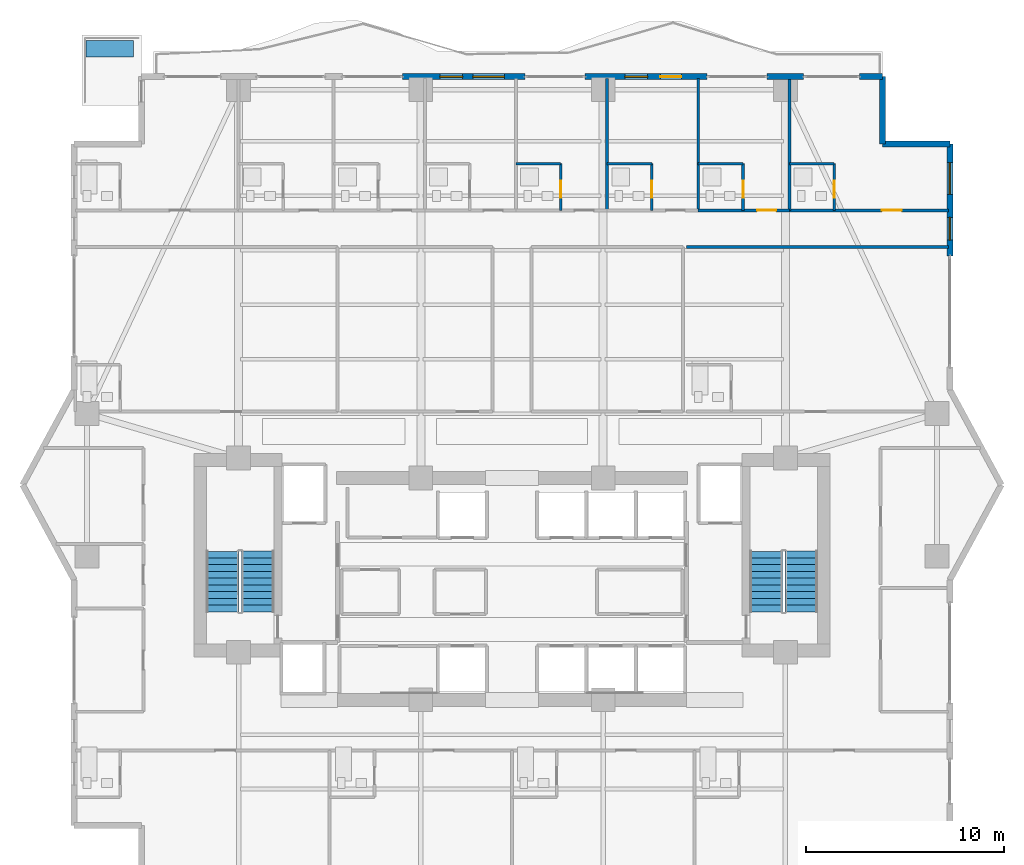
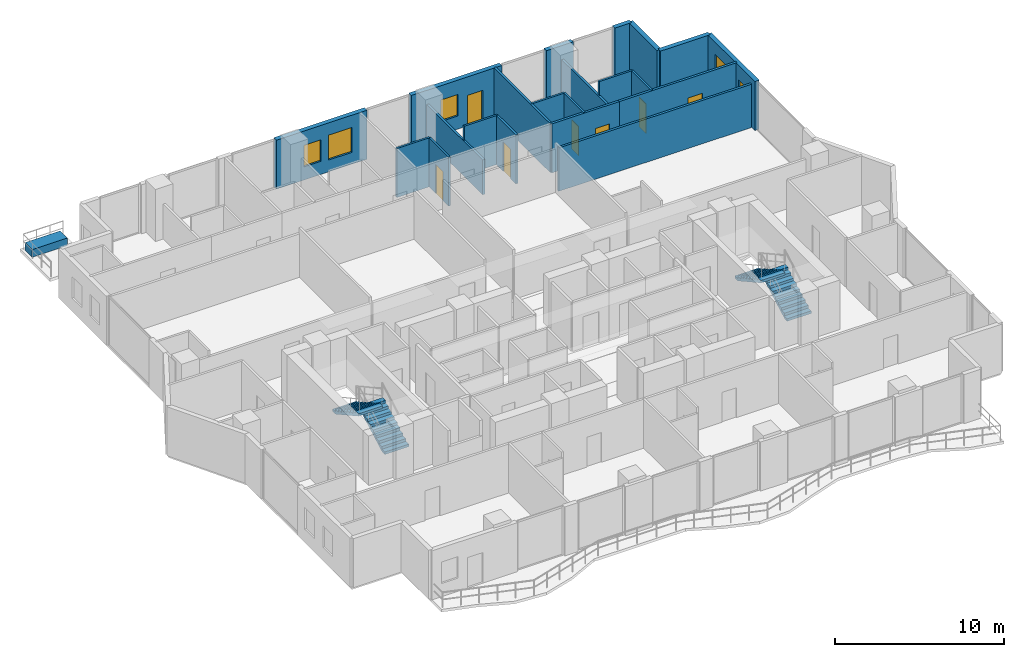
# One storey, part 28 of 32: 21 walls, 7 doors, 5 windows, 4 stair flights, 1 building element part, 12 openings, 2 elements without a shape of their own.
"""IFC4 building model written with IfcOpenShell, lengths in metres."""

from ifc_helpers import new_model, si_unit, direction, frame, frame_2d, origin, origin_2d, place, context, subcontext, project, spatial, polyline, rectangle, outline, extrude, material, layer, layer_set, type_object, element, fill, aggregate, save


model = new_model("IFC4")

# Units and contexts
model_context = context("Model", 3, precision=1e-05, world=origin(), true_north=direction((0.0, 1.0)))
body_context = subcontext(model_context, "Body", "Model", "MODEL_VIEW")
ifc_project = project(units=[si_unit("LENGTHUNIT", "METRE"), si_unit("AREAUNIT", "SQUARE_METRE"), si_unit("VOLUMEUNIT", "CUBIC_METRE"), si_unit("PLANEANGLEUNIT", "RADIAN"), si_unit("MASSUNIT", "GRAM", prefix="KILO")], contexts=[model_context])

# Site, building, storey
site_placement = place(None, origin())
site = spatial("IfcSite", under=ifc_project, at=site_placement, CompositionType="ELEMENT")
building_placement = place(site_placement, origin())
building = spatial("IfcBuilding", under=site, at=building_placement, Name="Zuhayl Quay Hotel", CompositionType="ELEMENT")
storey_placement = place(building_placement, frame((0.0, 0.0, 226.14990234375)))
storey = spatial("IfcBuildingStorey", under=building, at=storey_placement, Name="L57", CompositionType="ELEMENT", Elevation=226.14990234375)

# Wall, openings, windows
ifc_material_1 = material(Name="Precast concrete C45/55", Category="concrete")
ifc_layer_1 = layer(ifc_material_1, 0.300048828125, Name="Precast concrete C45/55", Category="concrete")
ifc_layer_set_1 = layer_set([ifc_layer_1], Name="Precast concrete C45/55")
wall_type_1 = type_object("IfcWallType", Name="WL_EXT_300", PredefinedType="STANDARD", material=ifc_layer_set_1)
wall_1_placement = place(storey_placement, frame((-5.52001953125, 33.60009765625, 0.0), z_axis=(0.0, 0.0, 1.0), x_axis=(1.0, 0.0, 0.0)))
wall_1 = element("IfcWall", 1, at=wall_1_placement, inside=storey, type_object=wall_type_1, Name="L57 Exterior Precast Wall ENV_L57_N_EW4", PredefinedType="STANDARD", context=body_context, shape_type="SweptSolid", body=[
    extrude(rectangle(XDim=6.169921875, YDim=0.300048828125, at=frame_2d((3.0849609375, 0.0))), origin(), (0.0, 0.0, 1.0), 3.530029296875),
])
opening_1_placement = place(wall_1_placement, frame((3.5400390625, 0.0, 0.85009765625)))
opening_1 = element("IfcOpeningElement", 2, at=opening_1_placement, cuts=wall_1, Name="Opening W01", PredefinedType="OPENING", context=body_context, shape_type="SweptSolid", body=[
    extrude(rectangle(XDim=1.60009765625, YDim=1.800048828125, at=frame_2d((0.800048828125, 0.89990234375))), frame((0.0, 0.159912109375, 0.0), z_axis=(0.0, -1.0, 0.0), x_axis=(1.0, 0.0, 0.0)), (0.0, 0.0, 1.0), 0.320068359375),
])
opening_2_placement = place(wall_1_placement, frame((1.8798828125, 0.0, 0.949951171875)))
opening_2 = element("IfcOpeningElement", 3, at=opening_2_placement, cuts=wall_1, Name="Opening W01N", PredefinedType="OPENING", context=body_context, shape_type="SweptSolid", body=[
    extrude(rectangle(XDim=1.14990234375, YDim=1.550048828125, at=frame_2d((0.574951171875, 0.77490234375))), frame((0.0, 0.159912109375, 0.0), z_axis=(0.0, -1.0, 0.0), x_axis=(1.0, 0.0, 0.0)), (0.0, 0.0, 1.0), 0.320068359375),
])
ifc_material_2 = material(Name="Dark Ceramic-Fritted Solar Glass", Category="glass")
window_type_1 = type_object("IfcWindowType", Name="WN_NOTCH_1350", PartitioningType="SINGLE_PANEL", PredefinedType="WINDOW", material=ifc_material_2)
window_1_placement = place(opening_2_placement, origin())
window_1 = element("IfcWindow", 4, at=window_1_placement, inside=storey, type_object=window_type_1, Name="L57 Operable Facade Window 4-1", OverallHeight=1.550048828125, OverallWidth=1.14990234375, PartitioningType="SINGLE_PANEL", PredefinedType="WINDOW", context=body_context, shape_type="SweptSolid", body=[
    extrude(rectangle(XDim=1.14990234375, YDim=1.550048828125, at=frame_2d((0.574951171875, 0.77490234375))), frame((0.0, 0.030029296875, 0.0), z_axis=(0.0, -1.0, 0.0), x_axis=(1.0, 0.0, 0.0)), (0.0, 0.0, 1.0), 0.06005859375),
])
fill(opening_2, window_1)
window_type_2 = type_object("IfcWindowType", Name="WN_OPERABLE_1600", PartitioningType="DOUBLE_PANEL_VERTICAL", PredefinedType="WINDOW", material=ifc_material_2)
window_2_placement = place(opening_1_placement, origin())
window_2 = element("IfcWindow", 5, at=window_2_placement, inside=storey, type_object=window_type_2, Name="L57 North Operable Casement Window", OverallHeight=1.800048828125, OverallWidth=1.60009765625, PartitioningType="SINGLE_PANEL", PredefinedType="WINDOW", context=body_context, shape_type="SweptSolid", body=[
    extrude(rectangle(XDim=1.60009765625, YDim=1.800048828125, at=frame_2d((0.800048828125, 0.89990234375))), frame((0.0, 0.030029296875, 0.0), z_axis=(0.0, -1.0, 0.0), x_axis=(1.0, 0.0, 0.0)), (0.0, 0.0, 1.0), 0.06005859375),
])
fill(opening_1, window_2)

# Wall, openings, door, window
wall_2_placement = place(storey_placement, frame((3.679931640625, 33.60009765625, 0.0), z_axis=(0.0, 0.0, 1.0), x_axis=(1.0, 0.0, 0.0)))
wall_2 = element("IfcWall", 6, at=wall_2_placement, inside=storey, type_object=wall_type_1, Name="L57 Exterior Precast Wall ENV_L57_N_EW5", PredefinedType="STANDARD", context=body_context, shape_type="SweptSolid", body=[
    extrude(rectangle(XDim=6.170166015625, YDim=0.300048828125, at=frame_2d((3.0849609375, 0.0))), origin(), (0.0, 0.0, 1.0), 3.530029296875),
])
opening_3_placement = place(wall_2_placement, frame((3.81494140625, 0.0, 0.0)))
opening_3 = element("IfcOpeningElement", 7, at=opening_3_placement, cuts=wall_2, Name="Opening DG1", PredefinedType="OPENING", context=body_context, shape_type="SweptSolid", body=[
    extrude(rectangle(XDim=1.050048828125, YDim=2.199951171875, at=frame_2d((0.52490234375, 1.10009765625))), frame((0.0, 0.159912109375, 0.0), z_axis=(0.0, -1.0, 0.0), x_axis=(1.0, 0.0, 0.0)), (0.0, 0.0, 1.0), 0.320068359375),
])
opening_4_placement = place(wall_2_placement, frame((2.017578125, 0.0, 0.949951171875)))
opening_4 = element("IfcOpeningElement", 8, at=opening_4_placement, cuts=wall_2, Name="Opening W01N", PredefinedType="OPENING", context=body_context, shape_type="SweptSolid", body=[
    extrude(rectangle(XDim=1.14990234375, YDim=1.550048828125, at=frame_2d((0.574951171875, 0.77490234375))), frame((0.0, 0.159912109375, 0.0), z_axis=(0.0, -1.0, 0.0), x_axis=(1.0, 0.0, 0.0)), (0.0, 0.0, 1.0), 0.320068359375),
])
ifc_material_3 = material(Name="Anodised Aluminium and Dark Solar Glass", Category="aluminium")
door_type_1 = type_object("IfcDoorType", Name="DR_EXT_TERR_1050", OperationType="NOTDEFINED", PredefinedType="DOOR", material=ifc_material_3)
door_1_placement = place(opening_3_placement, origin())
door_1 = element("IfcDoor", 9, at=door_1_placement, inside=storey, type_object=door_type_1, Name="L57 North Rippling Balcony Door", OperationType="SINGLE_SWING_LEFT", OverallHeight=2.199951171875, OverallWidth=1.050048828125, PredefinedType="DOOR", context=body_context, shape_type="SweptSolid", body=[
    extrude(rectangle(XDim=1.050048828125, YDim=2.199951171875, at=frame_2d((0.52490234375, 1.10009765625))), frame((0.0, 0.02490234375, 0.0), z_axis=(0.0, -1.0, 0.0), x_axis=(1.0, 0.0, 0.0)), (0.0, 0.0, 1.0), 0.050048828125),
])
fill(opening_3, door_1)
window_3_placement = place(opening_4_placement, origin())
window_3 = element("IfcWindow", 10, at=window_3_placement, inside=storey, type_object=window_type_1, Name="L57 Operable Facade Window 5-1", OverallHeight=1.550048828125, OverallWidth=1.14990234375, PartitioningType="SINGLE_PANEL", PredefinedType="WINDOW", context=body_context, shape_type="SweptSolid", body=[
    extrude(rectangle(XDim=1.14990234375, YDim=1.550048828125, at=frame_2d((0.574951171875, 0.77490234375))), frame((0.0, 0.030029296875, 0.0), z_axis=(0.0, -1.0, 0.0), x_axis=(1.0, 0.0, 0.0)), (0.0, 0.0, 1.0), 0.06005859375),
])
fill(opening_4, window_3)

# Walls
wall_3_placement = place(storey_placement, frame((12.8798828125, 33.60009765625, 0.0), z_axis=(0.0, 0.0, 1.0), x_axis=(1.0, 0.0, 0.0)))
element("IfcWall", 11, at=wall_3_placement, inside=storey, type_object=wall_type_1, Name="L57 Exterior Precast Wall ENV_L57_N_EW6", PredefinedType="STANDARD", context=body_context, shape_type="SweptSolid", body=[
    extrude(rectangle(XDim=1.840087890625, YDim=0.300048828125, at=frame_2d((0.919921875, 0.0))), origin(), (0.0, 0.0, 1.0), 3.530029296875),
])
wall_4_placement = place(storey_placement, frame((17.550048828125, 33.60009765625, 0.0), z_axis=(0.0, 0.0, 1.0), x_axis=(1.0, 0.0, 0.0)))
element("IfcWall", 12, at=wall_4_placement, inside=storey, type_object=wall_type_1, Name="L57 Exterior Precast Wall ENV_L57_N_EW7", PredefinedType="STANDARD", context=body_context, shape_type="SweptSolid", body=[
    extrude(rectangle(XDim=1.14990234375, YDim=0.300048828125, at=frame_2d((0.574951171875, 0.0))), origin(), (0.0, 0.0, 1.0), 3.530029296875),
])
for number, where, z_axis, x_axis, name in (
    (13, (18.699951171875, 33.60009765625, 0.0), (0.0, 0.0, 1.0), (0.0, -1.0, 0.0), "L57 Exterior Precast Wall ENV_L57_EW09"),
    (14, (18.699951171875, 30.199951171875, 0.0), (0.0, 0.0, 1.0), (1.0, 0.0, 0.0), "L57 Exterior Precast Wall ENV_L57_EW10"),
):
    element("IfcWall", number, at=place(storey_placement, frame(where, z_axis=z_axis, x_axis=x_axis)), inside=storey, type_object=wall_type_1, Name=name, PredefinedType="STANDARD", context=body_context, shape_type="SweptSolid", body=[
        extrude(rectangle(XDim=3.400146484375, YDim=0.300048828125, at=frame_2d((1.7001953125, 0.0))), origin(), (0.0, 0.0, 1.0), 3.530029296875),
    ])

# Wall, openings, windows
wall_5_placement = place(storey_placement, frame((22.10009765625, 30.199951171875, 0.0), z_axis=(0.0, 0.0, 1.0), x_axis=(0.0, -1.0, 0.0)))
wall_5 = element("IfcWall", 15, at=wall_5_placement, inside=storey, type_object=wall_type_1, Name="L57 Exterior Precast Wall ENV_L57_E11_EW1", PredefinedType="STANDARD", context=body_context, shape_type="SweptSolid", body=[
    extrude(rectangle(XDim=5.64990234375, YDim=0.300048828125, at=frame_2d((2.824951171875, 0.0))), origin(), (0.0, 0.0, 1.0), 3.530029296875),
])
opening_5_placement = place(wall_5_placement, frame((0.93505859375, 0.0, 0.85009765625)))
opening_5 = element("IfcOpeningElement", 16, at=opening_5_placement, cuts=wall_5, Name="Opening W01", PredefinedType="OPENING", context=body_context, shape_type="SweptSolid", body=[
    extrude(rectangle(XDim=1.60009765625, YDim=1.800048828125, at=frame_2d((0.800048828125, 0.89990234375))), frame((0.0, 0.159912109375, 0.0), z_axis=(0.0, -1.0, 0.0), x_axis=(1.0, 0.0, 0.0)), (0.0, 0.0, 1.0), 0.320068359375),
])
opening_6_placement = place(wall_5_placement, frame((3.699951171875, 0.0, 0.949951171875)))
opening_6 = element("IfcOpeningElement", 17, at=opening_6_placement, cuts=wall_5, Name="Opening W01N", PredefinedType="OPENING", context=body_context, shape_type="SweptSolid", body=[
    extrude(rectangle(XDim=1.14990234375, YDim=1.550048828125, at=frame_2d((0.574951171875, 0.77490234375))), frame((0.0, 0.159912109375, 0.0), z_axis=(0.0, -1.0, 0.0), x_axis=(1.0, 0.0, 0.0)), (0.0, 0.0, 1.0), 0.320068359375),
])
window_4_placement = place(opening_6_placement, origin())
window_4 = element("IfcWindow", 18, at=window_4_placement, inside=storey, type_object=window_type_1, Name="L57 Operable Facade Window 1-2", OverallHeight=1.550048828125, OverallWidth=1.14990234375, PartitioningType="SINGLE_PANEL", PredefinedType="WINDOW", context=body_context, shape_type="SweptSolid", body=[
    extrude(rectangle(XDim=1.14990234375, YDim=1.550048828125, at=frame_2d((0.574951171875, 0.77490234375))), frame((0.0, 0.030029296875, 0.0), z_axis=(0.0, -1.0, 0.0), x_axis=(1.0, 0.0, 0.0)), (0.0, 0.0, 1.0), 0.06005859375),
])
fill(opening_6, window_4)
window_5_placement = place(opening_5_placement, origin())
window_5 = element("IfcWindow", 19, at=window_5_placement, inside=storey, type_object=window_type_2, Name="L57 Operable Facade Window 1-1", OverallHeight=1.800048828125, OverallWidth=1.60009765625, PartitioningType="SINGLE_PANEL", PredefinedType="WINDOW", context=body_context, shape_type="SweptSolid", body=[
    extrude(rectangle(XDim=1.60009765625, YDim=1.800048828125, at=frame_2d((0.800048828125, 0.89990234375))), frame((0.0, 0.030029296875, 0.0), z_axis=(0.0, -1.0, 0.0), x_axis=(1.0, 0.0, 0.0)), (0.0, 0.0, 1.0), 0.06005859375),
])
fill(opening_5, window_5)

# Walls
ifc_material_4 = material(Name="Acoustic Gypsum Partition STC-58")
ifc_layer_2 = layer(ifc_material_4, 0.14990234375, Name="Acoustic Gypsum Partition STC-58")
ifc_layer_set_2 = layer_set([ifc_layer_2], Name="Acoustic Gypsum Partition STC-58")
wall_type_2 = type_object("IfcWallType", Name="WL_PART_150", PredefinedType="PARTITIONING", material=ifc_layer_set_2)
wall_6_placement = place(storey_placement, frame((4.800048828125, 26.85009765625, 0.0), z_axis=(0.0, 0.0, 1.0), x_axis=(0.0, 1.0, 0.0)))
element("IfcWall", 20, at=wall_6_placement, inside=storey, type_object=wall_type_2, Name="L57 Partition IW_L57_NU05_E", PredefinedType="PARTITIONING", context=body_context, shape_type="SweptSolid", body=[
    extrude(rectangle(XDim=6.669921875, YDim=0.14990234375, at=frame_2d((3.3349609375, 0.0))), origin(), (0.0, 0.0, 1.0), 2.51904296875),
])
wall_7_placement = place(storey_placement, frame((9.39990234375, 26.85009765625, 0.0), z_axis=(0.0, 0.0, 1.0), x_axis=(0.0, 1.0, 0.0)))
element("IfcWall", 21, at=wall_7_placement, inside=storey, type_object=wall_type_2, Name="L57 Partition IW_L57_NU06_E", PredefinedType="PARTITIONING", context=body_context, shape_type="SweptSolid", body=[
    extrude(rectangle(XDim=6.669921875, YDim=0.14990234375, at=frame_2d((3.3349609375, 0.0))), origin(), (0.0, 0.0, 1.0), 3.530029296875),
])
wall_8_placement = place(storey_placement, frame((14.0, 26.85009765625, 0.0), z_axis=(0.0, 0.0, 1.0), x_axis=(0.0, 1.0, 0.0)))
element("IfcWall", 22, at=wall_8_placement, inside=storey, type_object=wall_type_2, Name="L57 Partition IW_L57_NU07_E", PredefinedType="PARTITIONING", context=body_context, shape_type="SweptSolid", body=[
    extrude(rectangle(XDim=6.669921875, YDim=0.14990234375, at=frame_2d((3.3349609375, 0.0))), origin(), (0.0, 0.0, 1.0), 2.51904296875),
])

# Wall, opening, door
ifc_layer_3 = layer(ifc_material_4, 0.159912109375, Name="Acoustic Gypsum Partition STC-58")
ifc_layer_set_3 = layer_set([ifc_layer_3], Name="Acoustic Gypsum Partition STC-58")
wall_type_3 = type_object("IfcWallType", Name="WL_PART_CORR_160", PredefinedType="PARTITIONING", material=ifc_layer_set_3)
wall_9_placement = place(storey_placement, frame((9.39990234375, 26.85009765625, 0.0), z_axis=(0.0, 0.0, 1.0), x_axis=(1.0, 0.0, 0.0)))
wall_9 = element("IfcWall", 23, at=wall_9_placement, inside=storey, type_object=wall_type_3, Name="L57 Partition IW_L57_NU07_COR", PredefinedType="PARTITIONING", context=body_context, shape_type="SweptSolid", body=[
    extrude(rectangle(XDim=4.60009765625, YDim=0.159912109375, at=frame_2d((2.300048828125, 0.0))), origin(), (0.0, 0.0, 1.0), 3.530029296875),
])
opening_7_placement = place(wall_9_placement, frame((2.97509765625, 0.0, 0.0)))
opening_7 = element("IfcOpeningElement", 24, at=opening_7_placement, cuts=wall_9, Name="Opening D03", PredefinedType="OPENING", context=body_context, shape_type="SweptSolid", body=[
    extrude(rectangle(XDim=0.949951171875, YDim=2.14990234375, at=frame_2d((0.47509765625, 1.074951171875))), frame((0.0, 0.08984375, 0.0), z_axis=(0.0, -1.0, 0.0), x_axis=(1.0, 0.0, 0.0)), (0.0, 0.0, 1.0), 0.179931640625),
])
ifc_material_5 = material(Name="Solid Walnut Acoustic Fire Door")
door_type_2 = type_object("IfcDoorType", Name="DR_SUITE_950", OperationType="NOTDEFINED", PredefinedType="DOOR", material=ifc_material_5)
door_2_placement = place(opening_7_placement, origin())
door_2 = element("IfcDoor", 25, at=door_2_placement, inside=storey, type_object=door_type_2, Name="L57 Panoramic Gulf Guest Room L57-07 Entrance Door", OperationType="SINGLE_SWING_LEFT", OverallHeight=2.14990234375, OverallWidth=0.949951171875, PredefinedType="DOOR", context=body_context, shape_type="SweptSolid", body=[
    extrude(rectangle(XDim=0.949951171875, YDim=2.14990234375, at=frame_2d((0.47509765625, 1.074951171875))), frame((0.0, 0.02490234375, 0.0), z_axis=(0.0, -1.0, 0.0), x_axis=(1.0, 0.0, 0.0)), (0.0, 0.0, 1.0), 0.050048828125),
])
fill(opening_7, door_2)

wall_10_placement = place(storey_placement, frame((14.0, 26.85009765625, 0.0), z_axis=(0.0, 0.0, 1.0), x_axis=(1.0, 0.0, 0.0)))
wall_10 = element("IfcWall", 26, at=wall_10_placement, inside=storey, type_object=wall_type_3, Name="L57 Partition IW_L57_NU08_COR", PredefinedType="PARTITIONING", context=body_context, shape_type="SweptSolid", body=[
    extrude(rectangle(XDim=8.0400390625, YDim=0.159912109375, at=frame_2d((4.02001953125, 0.0))), origin(), (0.0, 0.0, 1.0), 3.530029296875),
])
opening_8_placement = place(wall_10_placement, frame((4.669921875, 0.0, 0.0)))
opening_8 = element("IfcOpeningElement", 27, at=opening_8_placement, cuts=wall_10, Name="Opening D03L", PredefinedType="OPENING", context=body_context, shape_type="SweptSolid", body=[
    extrude(rectangle(XDim=1.0, YDim=2.14990234375, at=frame_2d((0.5, 1.074951171875))), frame((0.0, 0.08984375, 0.0), z_axis=(0.0, -1.0, 0.0), x_axis=(1.0, 0.0, 0.0)), (0.0, 0.0, 1.0), 0.179931640625),
])
door_type_3 = type_object("IfcDoorType", Name="DR_SUITE_1000", OperationType="NOTDEFINED", PredefinedType="DOOR", material=ifc_material_5)
door_3_placement = place(opening_8_placement, origin())
door_3 = element("IfcDoor", 28, at=door_3_placement, inside=storey, type_object=door_type_3, Name="L57 Panoramic Gulf Guest Room L57-08 Entrance Door", OperationType="SINGLE_SWING_LEFT", OverallHeight=2.14990234375, OverallWidth=1.0, PredefinedType="DOOR", context=body_context, shape_type="SweptSolid", body=[
    extrude(rectangle(XDim=1.0, YDim=2.14990234375, at=frame_2d((0.5, 1.074951171875))), frame((0.0, 0.02490234375, 0.0), z_axis=(0.0, -1.0, 0.0), x_axis=(1.0, 0.0, 0.0)), (0.0, 0.0, 1.0), 0.050048828125),
])
fill(opening_8, door_3)

# Wall
wall_11_placement = place(storey_placement, frame((8.800048828125, 25.0, 0.0), z_axis=(0.0, 0.0, 1.0), x_axis=(1.0, 0.0, 0.0)))
element("IfcWall", 29, at=wall_11_placement, inside=storey, type_object=wall_type_3, Name="L57 Partition IW_L57_MU04_BK", PredefinedType="PARTITIONING", context=body_context, shape_type="SweptSolid", body=[
    extrude(rectangle(XDim=13.239990234375, YDim=0.159912109375, at=frame_2d((6.6201171875, 0.0))), origin(), (0.0, 0.0, 1.0), 3.1240234375),
])

# Wall, opening, door
ifc_material_6 = material(Name="Moisture-Resistant Sanitarychase Gypsum")
ifc_layer_4 = layer(ifc_material_6, 0.135009765625, Name="Moisture-Resistant Sanitarychase Gypsum")
ifc_layer_set_4 = layer_set([ifc_layer_4], Name="Moisture-Resistant Sanitarychase Gypsum")
wall_type_4 = type_object("IfcWallType", Name="WL_PART_PLUMB_150", PredefinedType="PLUMBINGWALL", material=ifc_layer_set_4)
wall_12_placement = place(storey_placement, frame((2.4599609375, 26.85009765625, 0.0), z_axis=(0.0, 0.0, 1.0), x_axis=(0.0, 1.0, 0.0)))
wall_12 = element("IfcWall", 30, at=wall_12_placement, inside=storey, type_object=wall_type_4, Name="L57 Partition IW_L57_NU05_BE", PredefinedType="PLUMBINGWALL", context=body_context, shape_type="SweptSolid", body=[
    extrude(rectangle(XDim=2.35986328125, YDim=0.135009765625, at=frame_2d((1.179931640625, 0.0))), origin(), (0.0, 0.0, 1.0), 3.530029296875),
])
opening_9_placement = place(wall_12_placement, frame((0.64990234375, 0.0, 0.0)))
opening_9 = element("IfcOpeningElement", 31, at=opening_9_placement, cuts=wall_12, Name="Opening D04", PredefinedType="OPENING", context=body_context, shape_type="SweptSolid", body=[
    extrude(rectangle(XDim=0.85009765625, YDim=2.10009765625, at=frame_2d((0.425048828125, 1.050048828125))), frame((0.0, 0.077392578125, 0.0), z_axis=(0.0, -1.0, 0.0), x_axis=(1.0, 0.0, 0.0)), (0.0, 0.0, 1.0), 0.155029296875),
])
ifc_material_7 = material(Name="Moisture-Resistant Walnut Veneer")
door_type_4 = type_object("IfcDoorType", Name="DR_BATH_850", OperationType="NOTDEFINED", PredefinedType="DOOR", material=ifc_material_7)
door_4_placement = place(opening_9_placement, origin())
door_4 = element("IfcDoor", 32, at=door_4_placement, inside=storey, type_object=door_type_4, Name="L57 Panoramic Gulf Guest Room L57-05 En-Suite Door", OperationType="SINGLE_SWING_RIGHT", OverallHeight=2.10009765625, OverallWidth=0.85009765625, PredefinedType="DOOR", context=body_context, shape_type="SweptSolid", body=[
    extrude(rectangle(XDim=0.85009765625, YDim=2.10009765625, at=frame_2d((0.425048828125, 1.050048828125))), frame((0.0, 0.02490234375, 0.0), z_axis=(0.0, -1.0, 0.0), x_axis=(1.0, 0.0, 0.0)), (0.0, 0.0, 1.0), 0.050048828125),
])
fill(opening_9, door_4)

wall_13_placement = place(storey_placement, frame((7.06005859375, 26.85009765625, 0.0), z_axis=(0.0, 0.0, 1.0), x_axis=(0.0, 1.0, 0.0)))
wall_13 = element("IfcWall", 33, at=wall_13_placement, inside=storey, type_object=wall_type_4, Name="L57 Partition IW_L57_NU06_BE", PredefinedType="PLUMBINGWALL", context=body_context, shape_type="SweptSolid", body=[
    extrude(rectangle(XDim=2.35986328125, YDim=0.135009765625, at=frame_2d((1.179931640625, 0.0))), origin(), (0.0, 0.0, 1.0), 3.530029296875),
])
opening_10_placement = place(wall_13_placement, frame((0.64990234375, 0.0, 0.0)))
opening_10 = element("IfcOpeningElement", 34, at=opening_10_placement, cuts=wall_13, Name="Opening D04", PredefinedType="OPENING", context=body_context, shape_type="SweptSolid", body=[
    extrude(rectangle(XDim=0.85009765625, YDim=2.10009765625, at=frame_2d((0.425048828125, 1.050048828125))), frame((0.0, 0.077392578125, 0.0), z_axis=(0.0, -1.0, 0.0), x_axis=(1.0, 0.0, 0.0)), (0.0, 0.0, 1.0), 0.155029296875),
])
door_5_placement = place(opening_10_placement, origin())
door_5 = element("IfcDoor", 35, at=door_5_placement, inside=storey, type_object=door_type_4, Name="L57 Panoramic Gulf Guest Room L57-06 En-Suite Door", OperationType="SINGLE_SWING_RIGHT", OverallHeight=2.10009765625, OverallWidth=0.85009765625, PredefinedType="DOOR", context=body_context, shape_type="SweptSolid", body=[
    extrude(rectangle(XDim=0.85009765625, YDim=2.10009765625, at=frame_2d((0.425048828125, 1.050048828125))), frame((0.0, 0.02490234375, 0.0), z_axis=(0.0, -1.0, 0.0), x_axis=(1.0, 0.0, 0.0)), (0.0, 0.0, 1.0), 0.050048828125),
])
fill(opening_10, door_5)

wall_14_placement = place(storey_placement, frame((11.659912109375, 26.85009765625, 0.0), z_axis=(0.0, 0.0, 1.0), x_axis=(0.0, 1.0, 0.0)))
wall_14 = element("IfcWall", 36, at=wall_14_placement, inside=storey, type_object=wall_type_4, Name="L57 Partition IW_L57_NU07_BE", PredefinedType="PLUMBINGWALL", context=body_context, shape_type="SweptSolid", body=[
    extrude(rectangle(XDim=2.35986328125, YDim=0.135009765625, at=frame_2d((1.179931640625, 0.0))), origin(), (0.0, 0.0, 1.0), 3.530029296875),
])
opening_11_placement = place(wall_14_placement, frame((0.64990234375, 0.0, 0.0)))
opening_11 = element("IfcOpeningElement", 37, at=opening_11_placement, cuts=wall_14, Name="Opening D04", PredefinedType="OPENING", context=body_context, shape_type="SweptSolid", body=[
    extrude(rectangle(XDim=0.85009765625, YDim=2.10009765625, at=frame_2d((0.425048828125, 1.050048828125))), frame((0.0, 0.077392578125, 0.0), z_axis=(0.0, -1.0, 0.0), x_axis=(1.0, 0.0, 0.0)), (0.0, 0.0, 1.0), 0.155029296875),
])
door_6_placement = place(opening_11_placement, origin())
door_6 = element("IfcDoor", 38, at=door_6_placement, inside=storey, type_object=door_type_4, Name="L57 Panoramic Gulf Guest Room L57-07 En-Suite Door", OperationType="SINGLE_SWING_RIGHT", OverallHeight=2.10009765625, OverallWidth=0.85009765625, PredefinedType="DOOR", context=body_context, shape_type="SweptSolid", body=[
    extrude(rectangle(XDim=0.85009765625, YDim=2.10009765625, at=frame_2d((0.425048828125, 1.050048828125))), frame((0.0, 0.02490234375, 0.0), z_axis=(0.0, -1.0, 0.0), x_axis=(1.0, 0.0, 0.0)), (0.0, 0.0, 1.0), 0.050048828125),
])
fill(opening_11, door_6)

wall_15_placement = place(storey_placement, frame((16.260009765625, 26.85009765625, 0.0), z_axis=(0.0, 0.0, 1.0), x_axis=(0.0, 1.0, 0.0)))
wall_15 = element("IfcWall", 39, at=wall_15_placement, inside=storey, type_object=wall_type_4, Name="L57 Partition IW_L57_NU08_BE", PredefinedType="PLUMBINGWALL", context=body_context, shape_type="SweptSolid", body=[
    extrude(rectangle(XDim=2.35986328125, YDim=0.135009765625, at=frame_2d((1.179931640625, 0.0))), origin(), (0.0, 0.0, 1.0), 3.530029296875),
])
opening_12_placement = place(wall_15_placement, frame((0.64990234375, 0.0, 0.0)))
opening_12 = element("IfcOpeningElement", 40, at=opening_12_placement, cuts=wall_15, Name="Opening D04", PredefinedType="OPENING", context=body_context, shape_type="SweptSolid", body=[
    extrude(rectangle(XDim=0.85009765625, YDim=2.10009765625, at=frame_2d((0.425048828125, 1.050048828125))), frame((0.0, 0.077392578125, 0.0), z_axis=(0.0, -1.0, 0.0), x_axis=(1.0, 0.0, 0.0)), (0.0, 0.0, 1.0), 0.155029296875),
])
door_7_placement = place(opening_12_placement, origin())
door_7 = element("IfcDoor", 41, at=door_7_placement, inside=storey, type_object=door_type_4, Name="L57 Panoramic Gulf Guest Room L57-08 En-Suite Door", OperationType="SINGLE_SWING_RIGHT", OverallHeight=2.10009765625, OverallWidth=0.85009765625, PredefinedType="DOOR", context=body_context, shape_type="SweptSolid", body=[
    extrude(rectangle(XDim=0.85009765625, YDim=2.10009765625, at=frame_2d((0.425048828125, 1.050048828125))), frame((0.0, 0.02490234375, 0.0), z_axis=(0.0, -1.0, 0.0), x_axis=(1.0, 0.0, 0.0)), (0.0, 0.0, 1.0), 0.050048828125),
])
fill(opening_12, door_7)

# Walls
for number, where, z_axis, x_axis, name in (
    (42, (0.199951171875, 29.2099609375, 0.0), (0.0, 0.0, 1.0), (1.0, 0.0, 0.0), "L57 Partition IW_L57_NU05_BN"),
    (43, (4.800048828125, 29.2099609375, 0.0), (0.0, 0.0, 1.0), (1.0, 0.0, 0.0), "L57 Partition IW_L57_NU06_BN"),
    (44, (9.39990234375, 29.2099609375, 0.0), (0.0, 0.0, 1.0), (1.0, 0.0, 0.0), "L57 Partition IW_L57_NU07_BN"),
    (45, (14.0, 29.2099609375, 0.0), (0.0, 0.0, 1.0), (1.0, 0.0, 0.0), "L57 Partition IW_L57_NU08_BN"),
):
    element("IfcWall", number, at=place(storey_placement, frame(where, z_axis=z_axis, x_axis=x_axis)), inside=storey, type_object=wall_type_4, Name=name, PredefinedType="PLUMBINGWALL", context=body_context, shape_type="SweptSolid", body=[
        extrude(rectangle(XDim=2.260009765625, YDim=0.135009765625, at=frame_2d((1.1298828125, 0.0))), origin(), (0.0, 0.0, 1.0), 3.530029296875),
    ])

# Stair, stair flights
ifc_material_8 = material(Name="Concrete C45/55", Category="concrete")
stair_type = type_object("IfcStairType", Name="ST_DOGLEG_TOWER", PredefinedType="HALF_TURN_STAIR", material=ifc_material_8)
stair_1_placement = place(storey_placement, origin())
stair_1 = element("IfcStair", 46, at=stair_1_placement, inside=storey, type_object=stair_type, Name="L57 Smokeproof Exit Stair ST1", PredefinedType="HALF_TURN_STAIR")
ifc_layer_5 = layer(ifc_material_8, 0.159912109375, Name="Concrete C45/55", Category="concrete")
ifc_layer_set_5 = layer_set([ifc_layer_5], Name="Concrete C45/55")
stair_flight_type = type_object("IfcStairFlightType", Name="SF_CONC_164", PredefinedType="STRAIGHT", material=ifc_layer_set_5)
stair_flight_1_placement = place(storey_placement, frame((-12.820068359375, 6.590087890625, 0.0), z_axis=(0.0, 0.0, 1.0), x_axis=(0.0, 1.0, 0.0)))
stair_flight_1 = element("IfcStairFlight", 47, at=stair_flight_1_placement, type_object=stair_flight_type, Name="ST1 flight 1", NumberOfRisers=10, NumberOfTreads=9, PredefinedType="STRAIGHT", RiserHeight=0.1875, TreadLength=0.34, context=body_context, shape_type="SweptSolid", body=[
    extrude(outline(polyline([(0.0, 0.0), (0.0, 0.1875), (0.340087890625, 0.1875), (0.340087890625, 0.375), (0.679931640625, 0.375), (0.679931640625, 0.5625), (1.02001953125, 0.5625), (1.02001953125, 0.75), (1.360107421875, 0.75), (1.360107421875, 0.9375), (1.699951171875, 0.9375), (1.699951171875, 1.125), (2.0400390625, 1.125), (2.0400390625, 1.3125), (2.3798828125, 1.3125), (2.3798828125, 1.5), (2.719970703125, 1.5), (2.719970703125, 1.6875), (3.06005859375, 1.6875), (3.06005859375, 1.875), (3.06005859375, 1.516357421875), (0.310302734375, 0.0), (0.0, 0.0)])), frame((0.0, 0.81982421875, 0.0), z_axis=(0.0, -1.0, 0.0), x_axis=(1.0, 0.0, 0.0)), (0.0, 0.0, 1.0), 1.639892578125),
])
stair_flight_2_placement = place(storey_placement, frame((-14.610107421875, 9.64990234375, 1.875), z_axis=(0.0, 0.0, 1.0), x_axis=(0.0, -1.0, 0.0)))
stair_flight_2 = element("IfcStairFlight", 48, at=stair_flight_2_placement, type_object=stair_flight_type, Name="ST1 flight 2", NumberOfRisers=10, NumberOfTreads=9, PredefinedType="STRAIGHT", RiserHeight=0.1875, TreadLength=0.34, context=body_context, shape_type="SweptSolid", body=[
    extrude(outline(polyline([(0.0, 0.0), (0.0, 0.1875), (0.340087890625, 0.1875), (0.340087890625, 0.375), (0.679931640625, 0.375), (0.679931640625, 0.5625), (1.02001953125, 0.5625), (1.02001953125, 0.75), (1.360107421875, 0.75), (1.360107421875, 0.9375), (1.699951171875, 0.9375), (1.699951171875, 1.125), (2.0400390625, 1.125), (2.0400390625, 1.3125), (2.3798828125, 1.3125), (2.3798828125, 1.5), (2.719970703125, 1.5), (2.719970703125, 1.6875), (3.06005859375, 1.6875), (3.06005859375, 1.875), (3.06005859375, 1.516357421875), (0.310302734375, 0.0), (0.0, 0.0)])), frame((0.0, 0.81982421875, 0.0), z_axis=(0.0, -1.0, 0.0), x_axis=(1.0, 0.0, 0.0)), (0.0, 0.0, 1.0), 1.639892578125),
])
aggregate(stair_1, [stair_flight_1, stair_flight_2])

stair_2_placement = place(storey_placement, origin())
stair_2 = element("IfcStair", 49, at=stair_2_placement, inside=storey, type_object=stair_type, Name="L57 Smokeproof Exit Stair ST2", PredefinedType="HALF_TURN_STAIR")
stair_flight_3_placement = place(storey_placement, frame((14.610107421875, 6.590087890625, 0.0), z_axis=(0.0, 0.0, 1.0), x_axis=(0.0, 1.0, 0.0)))
stair_flight_3 = element("IfcStairFlight", 50, at=stair_flight_3_placement, type_object=stair_flight_type, Name="ST2 flight 1", NumberOfRisers=10, NumberOfTreads=9, PredefinedType="STRAIGHT", RiserHeight=0.1875, TreadLength=0.34, context=body_context, shape_type="SweptSolid", body=[
    extrude(outline(polyline([(0.0, 0.0), (0.0, 0.1875), (0.340087890625, 0.1875), (0.340087890625, 0.375), (0.679931640625, 0.375), (0.679931640625, 0.5625), (1.02001953125, 0.5625), (1.02001953125, 0.75), (1.360107421875, 0.75), (1.360107421875, 0.9375), (1.699951171875, 0.9375), (1.699951171875, 1.125), (2.0400390625, 1.125), (2.0400390625, 1.3125), (2.3798828125, 1.3125), (2.3798828125, 1.5), (2.719970703125, 1.5), (2.719970703125, 1.6875), (3.06005859375, 1.6875), (3.06005859375, 1.875), (3.06005859375, 1.516357421875), (0.310302734375, 0.0), (0.0, 0.0)])), frame((0.0, 0.81982421875, 0.0), z_axis=(0.0, -1.0, 0.0), x_axis=(1.0, 0.0, 0.0)), (0.0, 0.0, 1.0), 1.639892578125),
])
stair_flight_4_placement = place(storey_placement, frame((12.820068359375, 9.64990234375, 1.875), z_axis=(0.0, 0.0, 1.0), x_axis=(0.0, -1.0, 0.0)))
stair_flight_4 = element("IfcStairFlight", 51, at=stair_flight_4_placement, type_object=stair_flight_type, Name="ST2 flight 2", NumberOfRisers=10, NumberOfTreads=9, PredefinedType="STRAIGHT", RiserHeight=0.1875, TreadLength=0.34, context=body_context, shape_type="SweptSolid", body=[
    extrude(outline(polyline([(0.0, 0.0), (0.0, 0.1875), (0.340087890625, 0.1875), (0.340087890625, 0.375), (0.679931640625, 0.375), (0.679931640625, 0.5625), (1.02001953125, 0.5625), (1.02001953125, 0.75), (1.360107421875, 0.75), (1.360107421875, 0.9375), (1.699951171875, 0.9375), (1.699951171875, 1.125), (2.0400390625, 1.125), (2.0400390625, 1.3125), (2.3798828125, 1.3125), (2.3798828125, 1.5), (2.719970703125, 1.5), (2.719970703125, 1.6875), (3.06005859375, 1.6875), (3.06005859375, 1.875), (3.06005859375, 1.516357421875), (0.310302734375, 0.0), (0.0, 0.0)])), frame((0.0, 0.81982421875, 0.0), z_axis=(0.0, -1.0, 0.0), x_axis=(1.0, 0.0, 0.0)), (0.0, 0.0, 1.0), 1.639892578125),
])
aggregate(stair_2, [stair_flight_3, stair_flight_4])

# Building element part
ifc_layer_6 = layer(ifc_material_1, 0.550048828125, Name="Precast concrete C45/55", Category="concrete")
ifc_layer_set_6 = layer_set([ifc_layer_6], Name="Precast concrete C45/55")
building_element_part_type = type_object("IfcBuildingElementPartType", Name="PT_PLANTER_KERB", PredefinedType="PRECASTPANEL", material=ifc_layer_set_6)
building_element_part_placement = place(storey_placement, frame((-20.31005859375, 35.010009765625, 0.0), z_axis=(0.0, 0.0, 1.0), x_axis=(1.0, 0.0, 0.0)))
element("IfcBuildingElementPart", 52, at=building_element_part_placement, inside=storey, type_object=building_element_part_type, Name="L57 Spiral Sky-Terrace Planter Box NW", PredefinedType="PRECASTPANEL", context=body_context, shape_type="SweptSolid", body=[
    extrude(rectangle(XDim=2.39990234375, YDim=0.85009765625, at=origin_2d()), origin(), (0.0, 0.0, 1.0), 0.550048828125),
])

save(model, "model.ifc")
